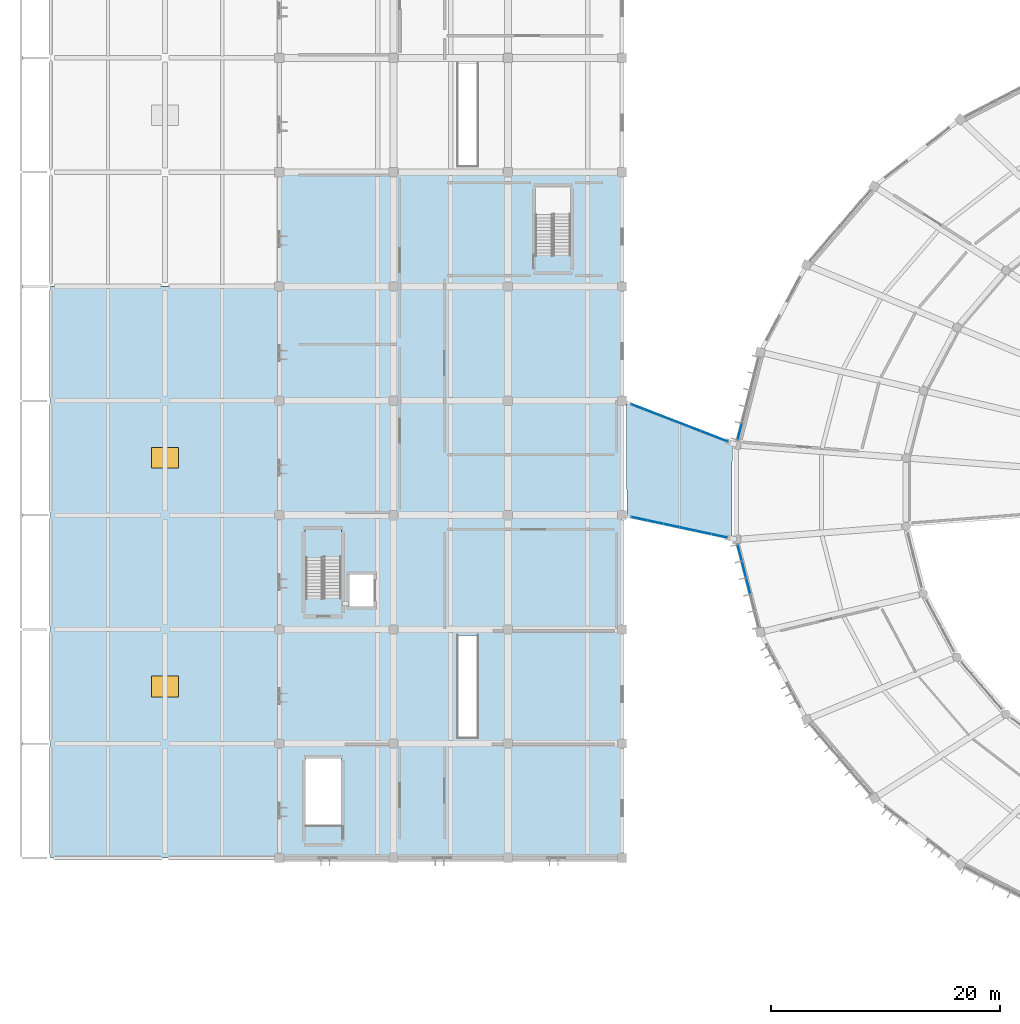
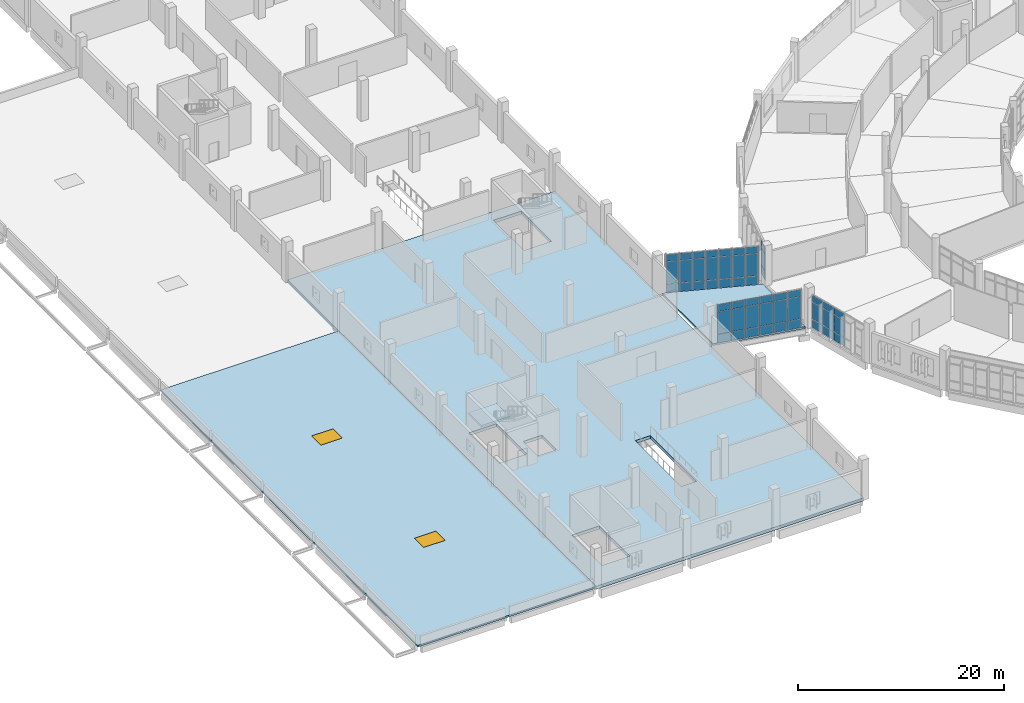
# One storey, part 84 of 179: 51 plates, 4 slabs, 2 windows, 2 openings, 5 elements without a shape of their own.
"""IFC4 building model written with IfcOpenShell, lengths in metres."""

from ifc_helpers import new_model, si_unit, direction, frame, origin, origin_2d, place, context, subcontext, project, spatial, polyline, rectangle, outline, extrude, material, layer, layer_set, type_object, element, fill, aggregate, save


model = new_model("IFC4")

# Units and contexts
model_context = context("Model", 3, precision=1e-05, world=origin(), true_north=direction((0.0, 1.0)))
body_context = subcontext(model_context, "Body", "Model", "MODEL_VIEW")
ifc_project = project(units=[si_unit("LENGTHUNIT", "METRE"), si_unit("AREAUNIT", "SQUARE_METRE"), si_unit("VOLUMEUNIT", "CUBIC_METRE"), si_unit("PLANEANGLEUNIT", "RADIAN"), si_unit("MASSUNIT", "GRAM", prefix="KILO")], contexts=[model_context])

# Site, building, storey
site_placement = place(None, origin())
site = spatial("IfcSite", under=ifc_project, at=site_placement, CompositionType="ELEMENT")
building_placement = place(site_placement, origin())
building = spatial("IfcBuilding", under=site, at=building_placement, Name="Corvandel Quay Wholesale Market", CompositionType="ELEMENT")
storey_placement = place(building_placement, frame((0.0, 0.0, 6.0)))
storey = spatial("IfcBuildingStorey", under=building, at=storey_placement, Name="L01", CompositionType="ELEMENT", Elevation=6.0)

# Curtain wall, plate
ifc_material_1 = material(Name="Bronze anodised aluminium and low-E insulated glazing", Category="aluminium")
ifc_layer_1 = layer(ifc_material_1, 0.197998046875)
ifc_layer_set_1 = layer_set([ifc_layer_1], Name="Bronze anodised aluminium and low-E insulated glazing")
curtain_wall_type_1 = type_object("IfcCurtainWallType", Name="Stick Curtain Wall System CW19 H4710", PredefinedType="NOTDEFINED", material=ifc_layer_set_1)
curtain_wall_1_placement = place(storey_placement, origin())
curtain_wall_1 = element("IfcCurtainWall", 1, at=curtain_wall_1_placement, inside=storey, type_object=curtain_wall_type_1, Name="Curtain Wall CW-0043", PredefinedType="NOTDEFINED")
ifc_material_2 = material(Name="Solar-control low-E insulated glazing", Category="glass")
ifc_layer_2 = layer(ifc_material_2, 0.0400390625)
ifc_layer_set_2 = layer_set([ifc_layer_2], Name="Solar-control low-E insulated glazing")
plate_type_1 = type_object("IfcPlateType", Name="Ceramic Fritted Spandrel Panel PN03 40mm", PredefinedType="CURTAIN_PANEL", material=ifc_layer_set_2)
plate_1_placement = place(storey_placement, frame((60.296630859375, 47.297119140625, 3.1298828125), z_axis=(0.0, 0.0, 1.0), x_axis=(0.247675453076, 0.968843057437, 0.0)))
plate_1 = element("IfcPlate", 2, at=plate_1_placement, type_object=plate_type_1, Name="Glazing Panel CW-0043-P04-2", PredefinedType="CURTAIN_PANEL", context=body_context, shape_type="SweptSolid", body=[
    extrude(rectangle(XDim=1.429931640625, YDim=0.0400390625, at=origin_2d()), origin(), (0.0, 0.0, 1.0), 0.7900390625),
])

# Curtain wall, plates
ifc_layer_3 = layer(ifc_material_1, 0.162109375)
ifc_layer_set_3 = layer_set([ifc_layer_3], Name="Bronze anodised aluminium and low-E insulated glazing")
curtain_wall_type_2 = type_object("IfcCurtainWallType", Name="Stick Curtain Wall System CW21 H4890", PredefinedType="NOTDEFINED", material=ifc_layer_set_3)
curtain_wall_2_placement = place(storey_placement, origin())
curtain_wall_2 = element("IfcCurtainWall", 3, at=curtain_wall_2_placement, inside=storey, type_object=curtain_wall_type_2, Name="Curtain Wall CW-0048", PredefinedType="NOTDEFINED")
plate_2_placement = place(storey_placement, frame((60.296630859375, 36.702880859375, 3.1298828125), z_axis=(0.0, 0.0, 1.0), x_axis=(-0.247675453076, 0.968843057437, 0.0)))
plate_2 = element("IfcPlate", 4, at=plate_2_placement, type_object=plate_type_1, Name="Glazing Panel CW-0048-P00-2", PredefinedType="CURTAIN_PANEL", context=body_context, shape_type="SweptSolid", body=[
    extrude(rectangle(XDim=1.429931640625, YDim=0.0400390625, at=origin_2d()), origin(), (0.0, 0.0, 1.0), 0.7900390625),
])
plate_3_placement = place(storey_placement, frame((60.6669921875, 35.25439453125, 3.1298828125), z_axis=(0.0, 0.0, 1.0), x_axis=(-0.247675453076, 0.968843057437, 0.0)))
plate_3 = element("IfcPlate", 5, at=plate_3_placement, type_object=plate_type_1, Name="Glazing Panel CW-0048-P01-2", PredefinedType="CURTAIN_PANEL", context=body_context, shape_type="SweptSolid", body=[
    extrude(rectangle(XDim=1.429931640625, YDim=0.0400390625, at=origin_2d()), origin(), (0.0, 0.0, 1.0), 0.7900390625),
])
plate_4_placement = place(storey_placement, frame((61.03759765625, 33.805908203125, 3.1298828125), z_axis=(0.0, 0.0, 1.0), x_axis=(-0.247675453076, 0.968843057437, 0.0)))
plate_4 = element("IfcPlate", 6, at=plate_4_placement, type_object=plate_type_1, Name="Glazing Panel CW-0048-P02-2", PredefinedType="CURTAIN_PANEL", context=body_context, shape_type="SweptSolid", body=[
    extrude(rectangle(XDim=1.429931640625, YDim=0.0400390625, at=origin_2d()), origin(), (0.0, 0.0, 1.0), 0.7900390625),
])

ifc_layer_4 = layer(ifc_material_1, 0.174072265625)
ifc_layer_set_4 = layer_set([ifc_layer_4], Name="Bronze anodised aluminium and low-E insulated glazing")
curtain_wall_type_3 = type_object("IfcCurtainWallType", Name="Stick Curtain Wall System CW27 H5430", PredefinedType="NOTDEFINED", material=ifc_layer_set_4)
curtain_wall_3_placement = place(storey_placement, origin())
curtain_wall_3 = element("IfcCurtainWall", 7, at=curtain_wall_3_placement, inside=storey, type_object=curtain_wall_type_3, Name="Curtain Wall CW-0172", PredefinedType="NOTDEFINED")
plate_5_placement = place(storey_placement, frame((51.49951171875, 39.6796875, 3.7275390625), z_axis=(0.0, 0.0, 1.0), x_axis=(-0.977929339831, 0.208935890402, 0.0)))
plate_5 = element("IfcPlate", 8, at=plate_5_placement, type_object=plate_type_1, Name="Glazing Panel CW-0172-P00-2", PredefinedType="CURTAIN_PANEL", context=body_context, shape_type="SweptSolid", body=[
    extrude(rectangle(XDim=1.376708984375, YDim=0.0400390625, at=origin_2d()), origin(), (0.0, 0.0, 1.0), 0.794921875),
])
plate_6_placement = place(storey_placement, frame((52.904541015625, 39.37939453125, 3.7275390625), z_axis=(0.0, 0.0, 1.0), x_axis=(-0.977929339831, 0.208935890402, 0.0)))
plate_6 = element("IfcPlate", 9, at=plate_6_placement, type_object=plate_type_1, Name="Glazing Panel CW-0172-P01-2", PredefinedType="CURTAIN_PANEL", context=body_context, shape_type="SweptSolid", body=[
    extrude(rectangle(XDim=1.376708984375, YDim=0.0400390625, at=origin_2d()), origin(), (0.0, 0.0, 1.0), 0.794921875),
])
plate_7_placement = place(storey_placement, frame((54.309814453125, 39.0791015625, 3.7275390625), z_axis=(0.0, 0.0, 1.0), x_axis=(-0.977929339831, 0.208935890402, 0.0)))
plate_7 = element("IfcPlate", 10, at=plate_7_placement, type_object=plate_type_1, Name="Glazing Panel CW-0172-P02-2", PredefinedType="CURTAIN_PANEL", context=body_context, shape_type="SweptSolid", body=[
    extrude(rectangle(XDim=1.376708984375, YDim=0.0400390625, at=origin_2d()), origin(), (0.0, 0.0, 1.0), 0.794921875),
])
plate_8_placement = place(storey_placement, frame((55.714599609375, 38.77880859375, 3.7275390625), z_axis=(0.0, 0.0, 1.0), x_axis=(-0.977929339831, 0.208935890402, 0.0)))
plate_8 = element("IfcPlate", 11, at=plate_8_placement, type_object=plate_type_1, Name="Glazing Panel CW-0172-P03-2", PredefinedType="CURTAIN_PANEL", context=body_context, shape_type="SweptSolid", body=[
    extrude(rectangle(XDim=1.376708984375, YDim=0.0400390625, at=origin_2d()), origin(), (0.0, 0.0, 1.0), 0.794921875),
])
plate_9_placement = place(storey_placement, frame((57.119873046875, 38.478515625, 3.7275390625), z_axis=(0.0, 0.0, 1.0), x_axis=(-0.977929339831, 0.208935890402, 0.0)))
plate_9 = element("IfcPlate", 12, at=plate_9_placement, type_object=plate_type_1, Name="Glazing Panel CW-0172-P04-2", PredefinedType="CURTAIN_PANEL", context=body_context, shape_type="SweptSolid", body=[
    extrude(rectangle(XDim=1.376708984375, YDim=0.0400390625, at=origin_2d()), origin(), (0.0, 0.0, 1.0), 0.794921875),
])
plate_10_placement = place(storey_placement, frame((58.52490234375, 38.17822265625, 3.7275390625), z_axis=(0.0, 0.0, 1.0), x_axis=(-0.977929339831, 0.208935890402, 0.0)))
plate_10 = element("IfcPlate", 13, at=plate_10_placement, type_object=plate_type_1, Name="Glazing Panel CW-0172-P05-2", PredefinedType="CURTAIN_PANEL", context=body_context, shape_type="SweptSolid", body=[
    extrude(rectangle(XDim=1.376708984375, YDim=0.0400390625, at=origin_2d()), origin(), (0.0, 0.0, 1.0), 0.794921875),
])

ifc_layer_5 = layer(ifc_material_1, 0.14990234375)
ifc_layer_set_5 = layer_set([ifc_layer_5], Name="Bronze anodised aluminium and low-E insulated glazing")
curtain_wall_type_4 = type_object("IfcCurtainWallType", Name="Stick Curtain Wall System CW20 H4800", PredefinedType="NOTDEFINED", material=ifc_layer_set_5)
curtain_wall_4_placement = place(storey_placement, origin())
curtain_wall_4 = element("IfcCurtainWall", 14, at=curtain_wall_4_placement, inside=storey, type_object=curtain_wall_type_4, Name="Curtain Wall CW-0173", PredefinedType="NOTDEFINED")
plate_11_placement = place(storey_placement, frame((51.367431640625, 49.4716796875, 3.7275390625), z_axis=(0.0, 0.0, 1.0), x_axis=(-0.932827815397, 0.3603224484, 0.0)))
plate_11 = element("IfcPlate", 15, at=plate_11_placement, type_object=plate_type_1, Name="Glazing Panel CW-0173-P00-2", PredefinedType="CURTAIN_PANEL", context=body_context, shape_type="SweptSolid", body=[
    extrude(rectangle(XDim=1.2421875, YDim=0.0400390625, at=origin_2d()), origin(), (0.0, 0.0, 1.0), 0.794921875),
])
plate_12_placement = place(storey_placement, frame((52.582275390625, 49.00244140625, 3.7275390625), z_axis=(0.0, 0.0, 1.0), x_axis=(-0.932827815397, 0.3603224484, 0.0)))
plate_12 = element("IfcPlate", 16, at=plate_12_placement, type_object=plate_type_1, Name="Glazing Panel CW-0173-P01-2", PredefinedType="CURTAIN_PANEL", context=body_context, shape_type="SweptSolid", body=[
    extrude(rectangle(XDim=1.2421875, YDim=0.0400390625, at=origin_2d()), origin(), (0.0, 0.0, 1.0), 0.794921875),
])
plate_13_placement = place(storey_placement, frame((53.796875, 48.533203125, 3.7275390625), z_axis=(0.0, 0.0, 1.0), x_axis=(-0.932827815397, 0.3603224484, 0.0)))
plate_13 = element("IfcPlate", 17, at=plate_13_placement, type_object=plate_type_1, Name="Glazing Panel CW-0173-P02-2", PredefinedType="CURTAIN_PANEL", context=body_context, shape_type="SweptSolid", body=[
    extrude(rectangle(XDim=1.2421875, YDim=0.0400390625, at=origin_2d()), origin(), (0.0, 0.0, 1.0), 0.794921875),
])
plate_14_placement = place(storey_placement, frame((55.01171875, 48.06396484375, 3.7275390625), z_axis=(0.0, 0.0, 1.0), x_axis=(-0.932827815397, 0.3603224484, 0.0)))
plate_14 = element("IfcPlate", 18, at=plate_14_placement, type_object=plate_type_1, Name="Glazing Panel CW-0173-P03-2", PredefinedType="CURTAIN_PANEL", context=body_context, shape_type="SweptSolid", body=[
    extrude(rectangle(XDim=1.2421875, YDim=0.0400390625, at=origin_2d()), origin(), (0.0, 0.0, 1.0), 0.794921875),
])
plate_15_placement = place(storey_placement, frame((56.226318359375, 47.5947265625, 3.7275390625), z_axis=(0.0, 0.0, 1.0), x_axis=(-0.932827815397, 0.3603224484, 0.0)))
plate_15 = element("IfcPlate", 19, at=plate_15_placement, type_object=plate_type_1, Name="Glazing Panel CW-0173-P04-2", PredefinedType="CURTAIN_PANEL", context=body_context, shape_type="SweptSolid", body=[
    extrude(rectangle(XDim=1.2421875, YDim=0.0400390625, at=origin_2d()), origin(), (0.0, 0.0, 1.0), 0.794921875),
])
plate_16_placement = place(storey_placement, frame((57.441162109375, 47.12548828125, 3.7275390625), z_axis=(0.0, 0.0, 1.0), x_axis=(-0.932827815397, 0.3603224484, 0.0)))
plate_16 = element("IfcPlate", 20, at=plate_16_placement, type_object=plate_type_1, Name="Glazing Panel CW-0173-P05-2", PredefinedType="CURTAIN_PANEL", context=body_context, shape_type="SweptSolid", body=[
    extrude(rectangle(XDim=1.2421875, YDim=0.0400390625, at=origin_2d()), origin(), (0.0, 0.0, 1.0), 0.794921875),
])
plate_17_placement = place(storey_placement, frame((58.65576171875, 46.65625, 3.7275390625), z_axis=(0.0, 0.0, 1.0), x_axis=(-0.932827815397, 0.3603224484, 0.0)))
plate_17 = element("IfcPlate", 21, at=plate_17_placement, type_object=plate_type_1, Name="Glazing Panel CW-0173-P06-2", PredefinedType="CURTAIN_PANEL", context=body_context, shape_type="SweptSolid", body=[
    extrude(rectangle(XDim=1.2421875, YDim=0.0400390625, at=origin_2d()), origin(), (0.0, 0.0, 1.0), 0.794921875),
])

# Slabs
ifc_material_3 = material(Name="Precast concrete C45/55", Category="concrete")
ifc_layer_6 = layer(ifc_material_3, 0.219970703125)
ifc_layer_set_6 = layer_set([ifc_layer_6], Name="Precast concrete C45/55")
slab_type_1 = type_object("IfcSlabType", Name="Composite Precast Office Floor Slab 220", PredefinedType="FLOOR", material=ifc_layer_set_6)
slab_1_placement = place(storey_placement, frame((0.0, 0.0, -0.219970703125)))
element("IfcSlab", 22, at=slab_1_placement, inside=storey, type_object=slab_type_1, Name="Slab SLB-0478", PredefinedType="FLOOR", context=body_context, shape_type="SweptSolid", body=[
    extrude(outline(polyline([(50.406005859375, 39.9130859375), (59.618896484375, 37.944091796875), (59.635986328125, 46.278076171875), (50.386962890625, 49.85009765625), (50.406005859375, 39.9130859375)])), origin(), (0.0, 0.0, 1.0), 0.219970703125),
])
ifc_material_4 = material(Name="Concrete C40/50", Category="concrete")
ifc_layer_7 = layer(ifc_material_4, 0.360107421875)
ifc_layer_set_7 = layer_set([ifc_layer_7], Name="Concrete C40/50")
slab_type_2 = type_object("IfcSlabType", Name="Composite Ripening Suite Floor Slab 360", PredefinedType="FLOOR", material=ifc_layer_set_7)
slab_2_placement = place(storey_placement, frame((0.0, 0.0, -0.360107421875)))
element("IfcSlab", 23, at=slab_2_placement, inside=storey, type_object=slab_type_2, Name="Slab SLB-0454", PredefinedType="FLOOR", context=body_context, shape_type="SweptSolid", body=[
    extrude(outline(polyline([(20.0, 70.0), (50.0, 70.0), (50.0, 10.0), (20.0, 10.0), (20.0, 70.0)]), holes=[polyline([(25.39990234375, 12.800048828125), (25.39990234375, 18.699951171875), (22.300048828125, 18.699951171875), (22.300048828125, 12.800048828125), (25.39990234375, 12.800048828125)]), polyline([(37.35009765625, 20.550048828125), (37.35009765625, 29.47998046875), (35.64990234375, 29.47998046875), (35.64990234375, 20.550048828125), (37.35009765625, 20.550048828125)]), polyline([(28.25, 32.0), (28.25, 34.800048828125), (26.14990234375, 34.800048828125), (26.14990234375, 32.0), (28.25, 32.0)]), polyline([(25.39990234375, 32.800048828125), (25.39990234375, 38.699951171875), (22.300048828125, 38.699951171875), (22.300048828125, 32.800048828125), (25.39990234375, 32.800048828125)]), polyline([(45.5, 62.800048828125), (45.5, 68.699951171875), (42.39990234375, 68.699951171875), (42.39990234375, 62.800048828125), (45.5, 62.800048828125)])]), origin(), (0.0, 0.0, 1.0), 0.360107421875),
])

# Plate
ifc_layer_8 = layer(ifc_material_2, 0.028076171875)
ifc_layer_set_8 = layer_set([ifc_layer_8], Name="Solar-control low-E insulated glazing")
plate_type_2 = type_object("IfcPlateType", Name="Double Low-E Vision Panel PN01 28mm", PredefinedType="CURTAIN_PANEL", material=ifc_layer_set_8)
plate_18_placement = place(storey_placement, frame((60.296630859375, 47.297119140625, 0.02978515625), z_axis=(0.0, 0.0, 1.0), x_axis=(0.247675453076, 0.968843057437, 0.0)))
plate_18 = element("IfcPlate", 24, at=plate_18_placement, type_object=plate_type_2, Name="Glazing Panel CW-0043-P04-0", PredefinedType="CURTAIN_PANEL", context=body_context, shape_type="SweptSolid", body=[
    extrude(rectangle(XDim=1.429931640625, YDim=0.028076171875, at=origin_2d()), origin(), (0.0, 0.0, 1.0), 0.989990234375),
])

plate_19_placement = place(storey_placement, frame((60.296630859375, 47.297119140625, 1.080078125), z_axis=(0.0, 0.0, 1.0), x_axis=(0.247675453076, 0.968843057437, 0.0)))
plate_19 = element("IfcPlate", 25, at=plate_19_placement, type_object=plate_type_2, Name="Glazing Panel CW-0043-P04-1", PredefinedType="CURTAIN_PANEL", context=body_context, shape_type="SweptSolid", body=[
    extrude(rectangle(XDim=1.429931640625, YDim=0.028076171875, at=origin_2d()), origin(), (0.0, 0.0, 1.0), 1.989990234375),
])

aggregate(curtain_wall_1, [plate_18, plate_19, plate_1])

plate_20_placement = place(storey_placement, frame((60.296630859375, 36.702880859375, 0.02978515625), z_axis=(0.0, 0.0, 1.0), x_axis=(-0.247675453076, 0.968843057437, 0.0)))
plate_20 = element("IfcPlate", 26, at=plate_20_placement, type_object=plate_type_2, Name="Glazing Panel CW-0048-P00-0", PredefinedType="CURTAIN_PANEL", context=body_context, shape_type="SweptSolid", body=[
    extrude(rectangle(XDim=1.429931640625, YDim=0.028076171875, at=origin_2d()), origin(), (0.0, 0.0, 1.0), 0.989990234375),
])

plate_21_placement = place(storey_placement, frame((60.296630859375, 36.702880859375, 1.080078125), z_axis=(0.0, 0.0, 1.0), x_axis=(-0.247675453076, 0.968843057437, 0.0)))
plate_21 = element("IfcPlate", 27, at=plate_21_placement, type_object=plate_type_2, Name="Glazing Panel CW-0048-P00-1", PredefinedType="CURTAIN_PANEL", context=body_context, shape_type="SweptSolid", body=[
    extrude(rectangle(XDim=1.429931640625, YDim=0.028076171875, at=origin_2d()), origin(), (0.0, 0.0, 1.0), 1.989990234375),
])

plate_22_placement = place(storey_placement, frame((60.6669921875, 35.25439453125, 0.02978515625), z_axis=(0.0, 0.0, 1.0), x_axis=(-0.247675453076, 0.968843057437, 0.0)))
plate_22 = element("IfcPlate", 28, at=plate_22_placement, type_object=plate_type_2, Name="Glazing Panel CW-0048-P01-0", PredefinedType="CURTAIN_PANEL", context=body_context, shape_type="SweptSolid", body=[
    extrude(rectangle(XDim=1.429931640625, YDim=0.028076171875, at=origin_2d()), origin(), (0.0, 0.0, 1.0), 0.989990234375),
])

plate_23_placement = place(storey_placement, frame((60.6669921875, 35.25439453125, 1.080078125), z_axis=(0.0, 0.0, 1.0), x_axis=(-0.247675453076, 0.968843057437, 0.0)))
plate_23 = element("IfcPlate", 29, at=plate_23_placement, type_object=plate_type_2, Name="Glazing Panel CW-0048-P01-1", PredefinedType="CURTAIN_PANEL", context=body_context, shape_type="SweptSolid", body=[
    extrude(rectangle(XDim=1.429931640625, YDim=0.028076171875, at=origin_2d()), origin(), (0.0, 0.0, 1.0), 1.989990234375),
])

plate_24_placement = place(storey_placement, frame((61.03759765625, 33.805908203125, 0.02978515625), z_axis=(0.0, 0.0, 1.0), x_axis=(-0.247675453076, 0.968843057437, 0.0)))
plate_24 = element("IfcPlate", 30, at=plate_24_placement, type_object=plate_type_2, Name="Glazing Panel CW-0048-P02-0", PredefinedType="CURTAIN_PANEL", context=body_context, shape_type="SweptSolid", body=[
    extrude(rectangle(XDim=1.429931640625, YDim=0.028076171875, at=origin_2d()), origin(), (0.0, 0.0, 1.0), 0.989990234375),
])

plate_25_placement = place(storey_placement, frame((61.03759765625, 33.805908203125, 1.080078125), z_axis=(0.0, 0.0, 1.0), x_axis=(-0.247675453076, 0.968843057437, 0.0)))
plate_25 = element("IfcPlate", 31, at=plate_25_placement, type_object=plate_type_2, Name="Glazing Panel CW-0048-P02-1", PredefinedType="CURTAIN_PANEL", context=body_context, shape_type="SweptSolid", body=[
    extrude(rectangle(XDim=1.429931640625, YDim=0.028076171875, at=origin_2d()), origin(), (0.0, 0.0, 1.0), 1.989990234375),
])

aggregate(curtain_wall_2, [plate_20, plate_21, plate_2, plate_22, plate_23, plate_3, plate_24, plate_25, plate_4])

plate_26_placement = place(storey_placement, frame((51.49951171875, 39.6796875, -0.00244140625), z_axis=(0.0, 0.0, 1.0), x_axis=(-0.977929339831, 0.208935890402, 0.0)))
plate_26 = element("IfcPlate", 32, at=plate_26_placement, type_object=plate_type_2, Name="Glazing Panel CW-0172-P00-0", PredefinedType="CURTAIN_PANEL", context=body_context, shape_type="SweptSolid", body=[
    extrude(rectangle(XDim=1.376708984375, YDim=0.028076171875, at=origin_2d()), origin(), (0.0, 0.0, 1.0), 0.9951171875),
])

plate_27_placement = place(storey_placement, frame((51.49951171875, 39.6796875, 1.047607421875), z_axis=(0.0, 0.0, 1.0), x_axis=(-0.977929339831, 0.208935890402, 0.0)))
plate_27 = element("IfcPlate", 33, at=plate_27_placement, type_object=plate_type_2, Name="Glazing Panel CW-0172-P00-1", PredefinedType="CURTAIN_PANEL", context=body_context, shape_type="SweptSolid", body=[
    extrude(rectangle(XDim=1.376708984375, YDim=0.028076171875, at=origin_2d()), origin(), (0.0, 0.0, 1.0), 2.625),
])

plate_28_placement = place(storey_placement, frame((52.904541015625, 39.37939453125, -0.00244140625), z_axis=(0.0, 0.0, 1.0), x_axis=(-0.977929339831, 0.208935890402, 0.0)))
plate_28 = element("IfcPlate", 34, at=plate_28_placement, type_object=plate_type_2, Name="Glazing Panel CW-0172-P01-0", PredefinedType="CURTAIN_PANEL", context=body_context, shape_type="SweptSolid", body=[
    extrude(rectangle(XDim=1.376708984375, YDim=0.028076171875, at=origin_2d()), origin(), (0.0, 0.0, 1.0), 0.9951171875),
])

plate_29_placement = place(storey_placement, frame((52.904541015625, 39.37939453125, 1.047607421875), z_axis=(0.0, 0.0, 1.0), x_axis=(-0.977929339831, 0.208935890402, 0.0)))
plate_29 = element("IfcPlate", 35, at=plate_29_placement, type_object=plate_type_2, Name="Glazing Panel CW-0172-P01-1", PredefinedType="CURTAIN_PANEL", context=body_context, shape_type="SweptSolid", body=[
    extrude(rectangle(XDim=1.376708984375, YDim=0.028076171875, at=origin_2d()), origin(), (0.0, 0.0, 1.0), 2.625),
])

plate_30_placement = place(storey_placement, frame((54.309814453125, 39.0791015625, -0.00244140625), z_axis=(0.0, 0.0, 1.0), x_axis=(-0.977929339831, 0.208935890402, 0.0)))
plate_30 = element("IfcPlate", 36, at=plate_30_placement, type_object=plate_type_2, Name="Glazing Panel CW-0172-P02-0", PredefinedType="CURTAIN_PANEL", context=body_context, shape_type="SweptSolid", body=[
    extrude(rectangle(XDim=1.376708984375, YDim=0.028076171875, at=origin_2d()), origin(), (0.0, 0.0, 1.0), 0.9951171875),
])

plate_31_placement = place(storey_placement, frame((54.309814453125, 39.0791015625, 1.047607421875), z_axis=(0.0, 0.0, 1.0), x_axis=(-0.977929339831, 0.208935890402, 0.0)))
plate_31 = element("IfcPlate", 37, at=plate_31_placement, type_object=plate_type_2, Name="Glazing Panel CW-0172-P02-1", PredefinedType="CURTAIN_PANEL", context=body_context, shape_type="SweptSolid", body=[
    extrude(rectangle(XDim=1.376708984375, YDim=0.028076171875, at=origin_2d()), origin(), (0.0, 0.0, 1.0), 2.625),
])

plate_32_placement = place(storey_placement, frame((55.714599609375, 38.77880859375, -0.00244140625), z_axis=(0.0, 0.0, 1.0), x_axis=(-0.977929339831, 0.208935890402, 0.0)))
plate_32 = element("IfcPlate", 38, at=plate_32_placement, type_object=plate_type_2, Name="Glazing Panel CW-0172-P03-0", PredefinedType="CURTAIN_PANEL", context=body_context, shape_type="SweptSolid", body=[
    extrude(rectangle(XDim=1.376708984375, YDim=0.028076171875, at=origin_2d()), origin(), (0.0, 0.0, 1.0), 0.9951171875),
])

plate_33_placement = place(storey_placement, frame((55.714599609375, 38.77880859375, 1.047607421875), z_axis=(0.0, 0.0, 1.0), x_axis=(-0.977929339831, 0.208935890402, 0.0)))
plate_33 = element("IfcPlate", 39, at=plate_33_placement, type_object=plate_type_2, Name="Glazing Panel CW-0172-P03-1", PredefinedType="CURTAIN_PANEL", context=body_context, shape_type="SweptSolid", body=[
    extrude(rectangle(XDim=1.376708984375, YDim=0.028076171875, at=origin_2d()), origin(), (0.0, 0.0, 1.0), 2.625),
])

plate_34_placement = place(storey_placement, frame((57.119873046875, 38.478515625, -0.00244140625), z_axis=(0.0, 0.0, 1.0), x_axis=(-0.977929339831, 0.208935890402, 0.0)))
plate_34 = element("IfcPlate", 40, at=plate_34_placement, type_object=plate_type_2, Name="Glazing Panel CW-0172-P04-0", PredefinedType="CURTAIN_PANEL", context=body_context, shape_type="SweptSolid", body=[
    extrude(rectangle(XDim=1.376708984375, YDim=0.028076171875, at=origin_2d()), origin(), (0.0, 0.0, 1.0), 0.9951171875),
])

plate_35_placement = place(storey_placement, frame((57.119873046875, 38.478515625, 1.047607421875), z_axis=(0.0, 0.0, 1.0), x_axis=(-0.977929339831, 0.208935890402, 0.0)))
plate_35 = element("IfcPlate", 41, at=plate_35_placement, type_object=plate_type_2, Name="Glazing Panel CW-0172-P04-1", PredefinedType="CURTAIN_PANEL", context=body_context, shape_type="SweptSolid", body=[
    extrude(rectangle(XDim=1.376708984375, YDim=0.028076171875, at=origin_2d()), origin(), (0.0, 0.0, 1.0), 2.625),
])

plate_36_placement = place(storey_placement, frame((58.52490234375, 38.17822265625, -0.00244140625), z_axis=(0.0, 0.0, 1.0), x_axis=(-0.977929339831, 0.208935890402, 0.0)))
plate_36 = element("IfcPlate", 42, at=plate_36_placement, type_object=plate_type_2, Name="Glazing Panel CW-0172-P05-0", PredefinedType="CURTAIN_PANEL", context=body_context, shape_type="SweptSolid", body=[
    extrude(rectangle(XDim=1.376708984375, YDim=0.028076171875, at=origin_2d()), origin(), (0.0, 0.0, 1.0), 0.9951171875),
])

plate_37_placement = place(storey_placement, frame((58.52490234375, 38.17822265625, 1.047607421875), z_axis=(0.0, 0.0, 1.0), x_axis=(-0.977929339831, 0.208935890402, 0.0)))
plate_37 = element("IfcPlate", 43, at=plate_37_placement, type_object=plate_type_2, Name="Glazing Panel CW-0172-P05-1", PredefinedType="CURTAIN_PANEL", context=body_context, shape_type="SweptSolid", body=[
    extrude(rectangle(XDim=1.376708984375, YDim=0.028076171875, at=origin_2d()), origin(), (0.0, 0.0, 1.0), 2.625),
])

aggregate(curtain_wall_3, [plate_26, plate_27, plate_5, plate_28, plate_29, plate_6, plate_30, plate_31, plate_7, plate_32, plate_33, plate_8, plate_34, plate_35, plate_9, plate_36, plate_37, plate_10])

plate_38_placement = place(storey_placement, frame((51.367431640625, 49.4716796875, -0.00244140625), z_axis=(0.0, 0.0, 1.0), x_axis=(-0.932827815397, 0.3603224484, 0.0)))
plate_38 = element("IfcPlate", 44, at=plate_38_placement, type_object=plate_type_2, Name="Glazing Panel CW-0173-P00-0", PredefinedType="CURTAIN_PANEL", context=body_context, shape_type="SweptSolid", body=[
    extrude(rectangle(XDim=1.2421875, YDim=0.028076171875, at=origin_2d()), origin(), (0.0, 0.0, 1.0), 0.9951171875),
])

plate_39_placement = place(storey_placement, frame((51.367431640625, 49.4716796875, 1.047607421875), z_axis=(0.0, 0.0, 1.0), x_axis=(-0.932827815397, 0.3603224484, 0.0)))
plate_39 = element("IfcPlate", 45, at=plate_39_placement, type_object=plate_type_2, Name="Glazing Panel CW-0173-P00-1", PredefinedType="CURTAIN_PANEL", context=body_context, shape_type="SweptSolid", body=[
    extrude(rectangle(XDim=1.2421875, YDim=0.028076171875, at=origin_2d()), origin(), (0.0, 0.0, 1.0), 2.625),
])

plate_40_placement = place(storey_placement, frame((52.582275390625, 49.00244140625, -0.00244140625), z_axis=(0.0, 0.0, 1.0), x_axis=(-0.932827815397, 0.3603224484, 0.0)))
plate_40 = element("IfcPlate", 46, at=plate_40_placement, type_object=plate_type_2, Name="Glazing Panel CW-0173-P01-0", PredefinedType="CURTAIN_PANEL", context=body_context, shape_type="SweptSolid", body=[
    extrude(rectangle(XDim=1.2421875, YDim=0.028076171875, at=origin_2d()), origin(), (0.0, 0.0, 1.0), 0.9951171875),
])

plate_41_placement = place(storey_placement, frame((52.582275390625, 49.00244140625, 1.047607421875), z_axis=(0.0, 0.0, 1.0), x_axis=(-0.932827815397, 0.3603224484, 0.0)))
plate_41 = element("IfcPlate", 47, at=plate_41_placement, type_object=plate_type_2, Name="Glazing Panel CW-0173-P01-1", PredefinedType="CURTAIN_PANEL", context=body_context, shape_type="SweptSolid", body=[
    extrude(rectangle(XDim=1.2421875, YDim=0.028076171875, at=origin_2d()), origin(), (0.0, 0.0, 1.0), 2.625),
])

plate_42_placement = place(storey_placement, frame((53.796875, 48.533203125, -0.00244140625), z_axis=(0.0, 0.0, 1.0), x_axis=(-0.932827815397, 0.3603224484, 0.0)))
plate_42 = element("IfcPlate", 48, at=plate_42_placement, type_object=plate_type_2, Name="Glazing Panel CW-0173-P02-0", PredefinedType="CURTAIN_PANEL", context=body_context, shape_type="SweptSolid", body=[
    extrude(rectangle(XDim=1.2421875, YDim=0.028076171875, at=origin_2d()), origin(), (0.0, 0.0, 1.0), 0.9951171875),
])

plate_43_placement = place(storey_placement, frame((53.796875, 48.533203125, 1.047607421875), z_axis=(0.0, 0.0, 1.0), x_axis=(-0.932827815397, 0.3603224484, 0.0)))
plate_43 = element("IfcPlate", 49, at=plate_43_placement, type_object=plate_type_2, Name="Glazing Panel CW-0173-P02-1", PredefinedType="CURTAIN_PANEL", context=body_context, shape_type="SweptSolid", body=[
    extrude(rectangle(XDim=1.2421875, YDim=0.028076171875, at=origin_2d()), origin(), (0.0, 0.0, 1.0), 2.625),
])

plate_44_placement = place(storey_placement, frame((55.01171875, 48.06396484375, -0.00244140625), z_axis=(0.0, 0.0, 1.0), x_axis=(-0.932827815397, 0.3603224484, 0.0)))
plate_44 = element("IfcPlate", 50, at=plate_44_placement, type_object=plate_type_2, Name="Glazing Panel CW-0173-P03-0", PredefinedType="CURTAIN_PANEL", context=body_context, shape_type="SweptSolid", body=[
    extrude(rectangle(XDim=1.2421875, YDim=0.028076171875, at=origin_2d()), origin(), (0.0, 0.0, 1.0), 0.9951171875),
])

plate_45_placement = place(storey_placement, frame((55.01171875, 48.06396484375, 1.047607421875), z_axis=(0.0, 0.0, 1.0), x_axis=(-0.932827815397, 0.3603224484, 0.0)))
plate_45 = element("IfcPlate", 51, at=plate_45_placement, type_object=plate_type_2, Name="Glazing Panel CW-0173-P03-1", PredefinedType="CURTAIN_PANEL", context=body_context, shape_type="SweptSolid", body=[
    extrude(rectangle(XDim=1.2421875, YDim=0.028076171875, at=origin_2d()), origin(), (0.0, 0.0, 1.0), 2.625),
])

plate_46_placement = place(storey_placement, frame((56.226318359375, 47.5947265625, -0.00244140625), z_axis=(0.0, 0.0, 1.0), x_axis=(-0.932827815397, 0.3603224484, 0.0)))
plate_46 = element("IfcPlate", 52, at=plate_46_placement, type_object=plate_type_2, Name="Glazing Panel CW-0173-P04-0", PredefinedType="CURTAIN_PANEL", context=body_context, shape_type="SweptSolid", body=[
    extrude(rectangle(XDim=1.2421875, YDim=0.028076171875, at=origin_2d()), origin(), (0.0, 0.0, 1.0), 0.9951171875),
])

plate_47_placement = place(storey_placement, frame((56.226318359375, 47.5947265625, 1.047607421875), z_axis=(0.0, 0.0, 1.0), x_axis=(-0.932827815397, 0.3603224484, 0.0)))
plate_47 = element("IfcPlate", 53, at=plate_47_placement, type_object=plate_type_2, Name="Glazing Panel CW-0173-P04-1", PredefinedType="CURTAIN_PANEL", context=body_context, shape_type="SweptSolid", body=[
    extrude(rectangle(XDim=1.2421875, YDim=0.028076171875, at=origin_2d()), origin(), (0.0, 0.0, 1.0), 2.625),
])

plate_48_placement = place(storey_placement, frame((57.441162109375, 47.12548828125, -0.00244140625), z_axis=(0.0, 0.0, 1.0), x_axis=(-0.932827815397, 0.3603224484, 0.0)))
plate_48 = element("IfcPlate", 54, at=plate_48_placement, type_object=plate_type_2, Name="Glazing Panel CW-0173-P05-0", PredefinedType="CURTAIN_PANEL", context=body_context, shape_type="SweptSolid", body=[
    extrude(rectangle(XDim=1.2421875, YDim=0.028076171875, at=origin_2d()), origin(), (0.0, 0.0, 1.0), 0.9951171875),
])

plate_49_placement = place(storey_placement, frame((57.441162109375, 47.12548828125, 1.047607421875), z_axis=(0.0, 0.0, 1.0), x_axis=(-0.932827815397, 0.3603224484, 0.0)))
plate_49 = element("IfcPlate", 55, at=plate_49_placement, type_object=plate_type_2, Name="Glazing Panel CW-0173-P05-1", PredefinedType="CURTAIN_PANEL", context=body_context, shape_type="SweptSolid", body=[
    extrude(rectangle(XDim=1.2421875, YDim=0.028076171875, at=origin_2d()), origin(), (0.0, 0.0, 1.0), 2.625),
])

plate_50_placement = place(storey_placement, frame((58.65576171875, 46.65625, -0.00244140625), z_axis=(0.0, 0.0, 1.0), x_axis=(-0.932827815397, 0.3603224484, 0.0)))
plate_50 = element("IfcPlate", 56, at=plate_50_placement, type_object=plate_type_2, Name="Glazing Panel CW-0173-P06-0", PredefinedType="CURTAIN_PANEL", context=body_context, shape_type="SweptSolid", body=[
    extrude(rectangle(XDim=1.2421875, YDim=0.028076171875, at=origin_2d()), origin(), (0.0, 0.0, 1.0), 0.9951171875),
])

plate_51_placement = place(storey_placement, frame((58.65576171875, 46.65625, 1.047607421875), z_axis=(0.0, 0.0, 1.0), x_axis=(-0.932827815397, 0.3603224484, 0.0)))
plate_51 = element("IfcPlate", 57, at=plate_51_placement, type_object=plate_type_2, Name="Glazing Panel CW-0173-P06-1", PredefinedType="CURTAIN_PANEL", context=body_context, shape_type="SweptSolid", body=[
    extrude(rectangle(XDim=1.2421875, YDim=0.028076171875, at=origin_2d()), origin(), (0.0, 0.0, 1.0), 2.625),
])

aggregate(curtain_wall_4, [plate_38, plate_39, plate_11, plate_40, plate_41, plate_12, plate_42, plate_43, plate_13, plate_44, plate_45, plate_14, plate_46, plate_47, plate_15, plate_48, plate_49, plate_16, plate_50, plate_51, plate_17])

# Slab, openings, windows
ifc_layer_9 = layer(ifc_material_3, 0.199951171875)
ifc_layer_set_9 = layer_set([ifc_layer_9], Name="Precast concrete C45/55")
slab_type_3 = type_object("IfcSlabType", Name="Insulated Flat Precast Roof Slab 200", PredefinedType="ROOF", material=ifc_layer_set_9)
slab_3_placement = place(storey_placement, frame((0.0, 0.0, -0.199951171875)))
slab_3 = element("IfcSlab", 58, at=slab_3_placement, inside=storey, type_object=slab_type_3, Name="Slab SLB-0450", PredefinedType="ROOF", context=body_context, shape_type="SweptSolid", body=[
    extrude(outline(polyline([(0.0, 10.0), (20.0, 10.0), (20.0, 60.0), (0.0, 60.0), (0.0, 10.0)])), origin(), (0.0, 0.0, 1.0), 0.199951171875),
])
opening_1_placement = place(slab_3_placement, frame((10.0, 25.0, 0.0)))
opening_1 = element("IfcOpeningElement", 59, at=opening_1_placement, cuts=slab_3, Name="Opening L01-SK002", PredefinedType="OPENING", context=body_context, shape_type="SweptSolid", body=[
    extrude(rectangle(XDim=2.39990234375, YDim=1.800048828125, at=origin_2d()), origin(), (0.0, 0.0, 1.0), 0.199951171875),
])
opening_2_placement = place(slab_3_placement, frame((10.0, 45.0, 0.0)))
opening_2 = element("IfcOpeningElement", 60, at=opening_2_placement, cuts=slab_3, Name="Opening L01-SK003", PredefinedType="OPENING", context=body_context, shape_type="SweptSolid", body=[
    extrude(rectangle(XDim=2.39990234375, YDim=1.800048828125, at=origin_2d()), origin(), (0.0, 0.0, 1.0), 0.199951171875),
])
ifc_material_5 = material(Name="Thermally broken bronze anodised aluminium and solar-control low-E double glazing", Category="aluminium")
window_type = type_object("IfcWindowType", Name="Dock Canopy Daylight Skylight SK04 2400x1800", PartitioningType="SINGLE_PANEL", PredefinedType="SKYLIGHT", material=ifc_material_5)
window_1_placement = place(opening_1_placement, frame((0.0, 0.0, 0.14990234375)))
window_1 = element("IfcWindow", 61, at=window_1_placement, inside=storey, type_object=window_type, Name="Roof Skylight L01-SK002", OverallHeight=1.800048828125, OverallWidth=2.39990234375, PartitioningType="SINGLE_PANEL", PredefinedType="SKYLIGHT", context=body_context, shape_type="SweptSolid", body=[
    extrude(rectangle(XDim=2.39990234375, YDim=1.800048828125, at=origin_2d()), origin(), (0.0, 0.0, 1.0), 0.050048828125),
])
fill(opening_1, window_1)
window_2_placement = place(opening_2_placement, frame((0.0, 0.0, 0.14990234375)))
window_2 = element("IfcWindow", 62, at=window_2_placement, inside=storey, type_object=window_type, Name="Roof Skylight L01-SK003", OverallHeight=1.800048828125, OverallWidth=2.39990234375, PartitioningType="SINGLE_PANEL", PredefinedType="SKYLIGHT", context=body_context, shape_type="SweptSolid", body=[
    extrude(rectangle(XDim=2.39990234375, YDim=1.800048828125, at=origin_2d()), origin(), (0.0, 0.0, 1.0), 0.050048828125),
])
fill(opening_2, window_2)

# Stair, slab
stair_type = type_object("IfcStairType", Name="Exit Stair Two-Return L01-L02 ST02", PredefinedType="USERDEFINED", material=ifc_material_4)
stair_placement = place(storey_placement, origin())
stair = element("IfcStair", 63, at=stair_placement, inside=storey, type_object=stair_type, Name="Exit Stair STR-019", ObjectType="TWO_RETURN_STAIR", PredefinedType="USERDEFINED")
ifc_layer_10 = layer(ifc_material_4, 0.219970703125)
ifc_layer_set_10 = layer_set([ifc_layer_10], Name="Concrete C40/50")
slab_type_4 = type_object("IfcSlabType", Name="Precast Stair Landing LND02 220", PredefinedType="LANDING", material=ifc_layer_set_10)
slab_4_placement = place(storey_placement, frame((0.0, 0.0, 2.179931640625)))
slab_4 = element("IfcSlab", 64, at=slab_4_placement, type_object=slab_type_4, Name="Stair Landing STR-019-LND", PredefinedType="LANDING", context=body_context, shape_type="SweptSolid", body=[
    extrude(outline(polyline([(22.260009765625, 36.18994140625), (25.43994140625, 36.18994140625), (25.43994140625, 38.739990234375), (22.260009765625, 38.739990234375), (22.260009765625, 36.18994140625)])), origin(), (0.0, 0.0, 1.0), 0.219970703125),
])
aggregate(stair, [slab_4])

save(model, "model.ifc")
